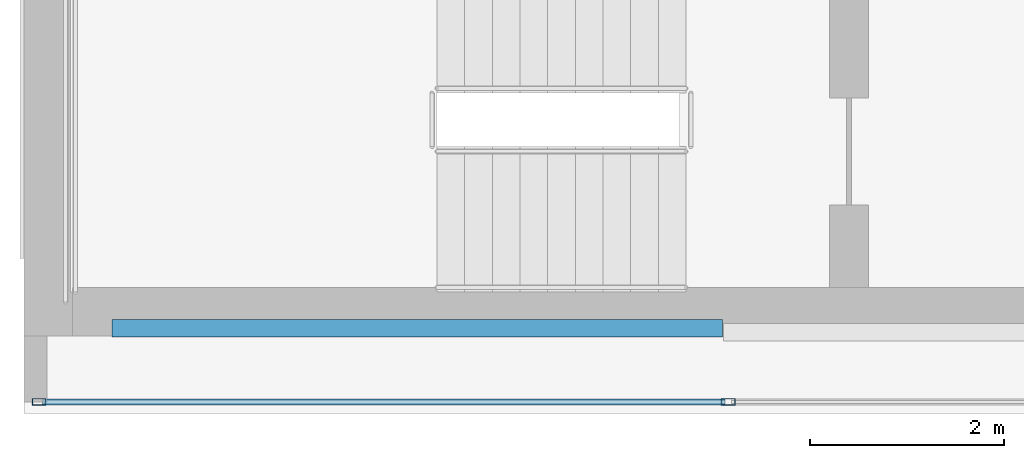
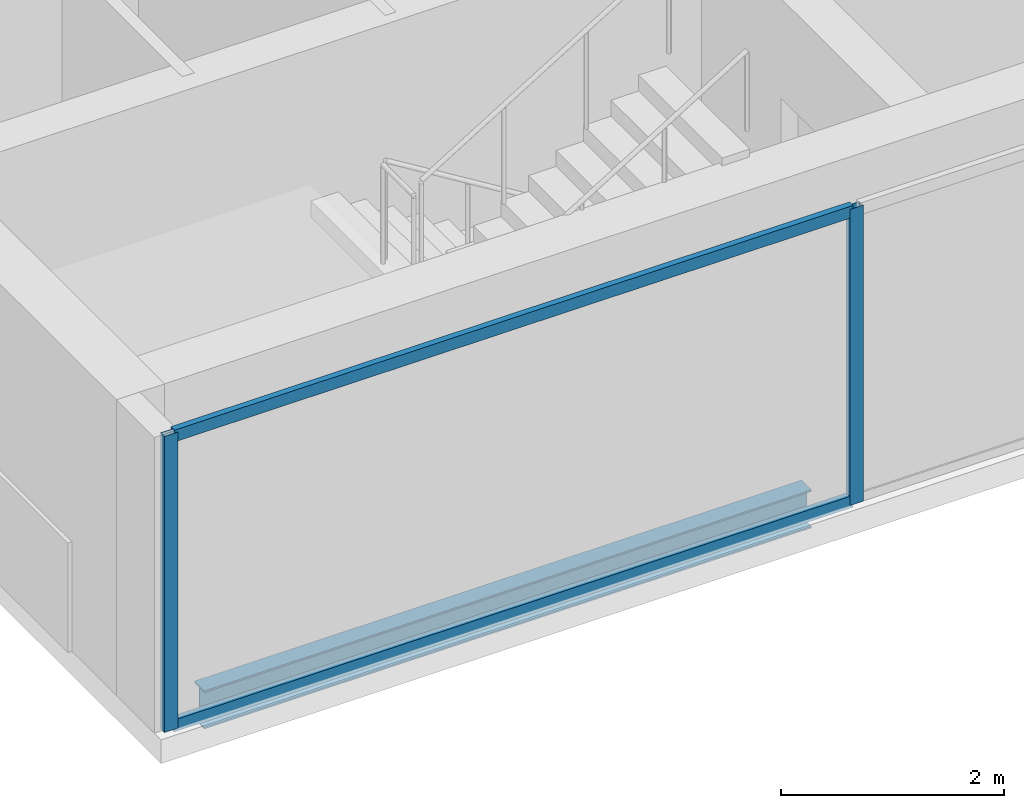
# One storey, part 2 of 23: 4 members, 1 beam, 1 element without a shape of its own.
"""IFC4 building model written with IfcOpenShell, lengths in metres."""

import ifcopenshell
import ifcopenshell.guid

model = None  # the IFC model being written
_history = None  # IfcOwnerHistory: only IFC2X3 demands one
_inside = {}  # id of a spatial element -> (the spatial element, [elements in it])
_under = {}  # id of a project, library or spatial element -> (it, [spatial elements below it])
_declared = {}  # id of a project -> (the project, [libraries it declares])
_typed = {}  # id of a type object -> (the type object, [elements of that type])
_made_of = {}  # id of a material, layer set ... -> (it, [elements and type objects made of it])


def new_model(schema):
    """Start an empty IFC model of exactly this schema.

    Asked for "IFC4X3", IfcOpenShell would pick the latest addendum, in which some entities
    have other attributes; the version numbers below select the first issue.
    IFC2X3 requires an IfcOwnerHistory on every rooted entity: one is made here for all.
    """
    global model, _history
    if schema == "IFC4X3":
        model = ifcopenshell.file(schema_version=(4, 3, 0, 0))
    else:
        model = ifcopenshell.file(schema=schema)
    _inside.clear()
    _under.clear()
    _declared.clear()
    _typed.clear()
    _made_of.clear()
    _history = None
    if model.schema == "IFC2X3":
        org = make("IfcOrganization", Name="unknown")
        user = make(
            "IfcPersonAndOrganization",
            ThePerson=make("IfcPerson", FamilyName="unknown"),
            TheOrganization=org,
        )
        app = make(
            "IfcApplication",
            ApplicationDeveloper=org,
            Version="unknown",
            ApplicationFullName="unknown",
            ApplicationIdentifier="unknown",
        )
        _history = make(
            "IfcOwnerHistory",
            OwningUser=user,
            OwningApplication=app,
            ChangeAction="ADDED",
            CreationDate=0,
        )
    return model


def make(cls, **values):
    """One entity of the class cls with the attributes given. An attribute that is None is left unset."""
    return model.create_entity(
        cls, **{name: value for name, value in values.items() if value is not None}
    )


def rooted(cls, **values):
    """An entity with a GlobalId (a new one), such as an element, a storey or a relation."""
    return make(cls, GlobalId=ifcopenshell.guid.new(), OwnerHistory=_history, **values)


def si_unit(unit_type, name, prefix=None):
    """IfcSIUnit, for example si_unit("LENGTHUNIT", "METRE", prefix="MILLI")."""
    return make("IfcSIUnit", UnitType=unit_type, Prefix=prefix, Name=name)


def assignment(units):
    """IfcUnitAssignment: the units of a project."""
    return None if units is None else make("IfcUnitAssignment", Units=units)


def point(xyz):
    """IfcCartesianPoint."""
    return None if xyz is None else make("IfcCartesianPoint", Coordinates=xyz)


def direction(xyz):
    """IfcDirection."""
    return None if xyz is None else make("IfcDirection", DirectionRatios=xyz)


def frame(location, z_axis=None, x_axis=None):
    """IfcAxis2Placement3D, a coordinate frame: its origin and axes. An axis left out is left unset."""
    return make(
        "IfcAxis2Placement3D",
        Location=point(location),
        Axis=direction(z_axis),
        RefDirection=direction(x_axis),
    )


def frame_2d(location, x_axis=None):
    """IfcAxis2Placement2D, a coordinate frame in the plane: its origin and x axis."""
    return make(
        "IfcAxis2Placement2D", Location=point(location), RefDirection=direction(x_axis)
    )


def origin():
    """The frame at (0, 0, 0) with its axes left unset."""
    return frame((0.0, 0.0, 0.0))


def origin_2d():
    """The frame at (0, 0) in the plane with its x axis left unset."""
    return frame_2d((0.0, 0.0))


def place(relative_to, where):
    """IfcLocalPlacement: puts the frame where relative to a parent placement (None: the world)."""
    return make(
        "IfcLocalPlacement", PlacementRelTo=relative_to, RelativePlacement=where
    )


def context(
    kind, dimensions, precision=None, world=None, true_north=None, identifier=None
):
    """IfcGeometricRepresentationContext, for example the 3D "Model" context."""
    return make(
        "IfcGeometricRepresentationContext",
        ContextIdentifier=identifier,
        ContextType=kind,
        CoordinateSpaceDimension=dimensions,
        Precision=precision,
        WorldCoordinateSystem=world,
        TrueNorth=true_north,
    )


def subcontext(parent, identifier, kind, view, scale=None):
    """IfcGeometricRepresentationSubContext, for example "Body" below "Model"."""
    return make(
        "IfcGeometricRepresentationSubContext",
        ContextIdentifier=identifier,
        ContextType=kind,
        ParentContext=parent,
        TargetScale=scale,
        TargetView=view,
    )


def project(units=None, contexts=None):
    """IfcProject with its units and contexts."""
    return rooted(
        "IfcProject",
        Name="project",
        RepresentationContexts=contexts,
        UnitsInContext=assignment(units),
    )


def spatial(cls, under=None, at=None, **own):
    """A site, building, storey or space (cls), placed at a placement, below another one or the project."""
    s = rooted(cls, ObjectPlacement=at, **own)
    if under is not None:
        _under.setdefault(under.id(), (under, []))[1].append(s)
    return s


def profile(cls, at=None, kind="AREA", **sizes):
    """A parametric profile (cls). Its sizes go by their IFC names, for example OverallWidth=200.0."""
    return make(cls, ProfileType=kind, Position=at, **sizes)


def hollow_rectangle(**sizes):
    """IfcRectangleHollowProfileDef."""
    return profile("IfcRectangleHollowProfileDef", **sizes)


def i_section(**sizes):
    """IfcIShapeProfileDef."""
    return profile("IfcIShapeProfileDef", **sizes)


def extrude(swept, where, along, depth):
    """IfcExtrudedAreaSolid: the profile swept, set in the frame where, extruded along a direction by depth."""
    return make(
        "IfcExtrudedAreaSolid",
        SweptArea=swept,
        Position=where,
        ExtrudedDirection=direction(along),
        Depth=depth,
    )


def shape(context_of_items, identifier, shape_type, items):
    """IfcShapeRepresentation: the items that make up one representation, for example the "Body"."""
    return make(
        "IfcShapeRepresentation",
        ContextOfItems=context_of_items,
        RepresentationIdentifier=identifier,
        RepresentationType=shape_type,
        Items=items,
    )


def material(Name=None, Category=None):
    """IfcMaterial."""
    return make("IfcMaterial", Name=Name, Category=Category)


def material_profile(
    of_material, cross_section, Name=None, Category=None, Priority=None
):
    """IfcMaterialProfile: a cross section and its material."""
    return make(
        "IfcMaterialProfile",
        Name=Name,
        Material=of_material,
        Profile=cross_section,
        Priority=Priority,
        Category=Category,
    )


def profile_set(profiles, Name=None, composite=None):
    """IfcMaterialProfileSet."""
    return make(
        "IfcMaterialProfileSet",
        Name=Name,
        MaterialProfiles=profiles,
        CompositeProfile=composite,
    )


def made_of(thing, what):
    """Note that an element or type object is made of a material, layer set ...; save() writes the relation."""
    if what is not None:
        _made_of.setdefault(what.id(), (what, []))[1].append(thing)
    return thing


def type_object(cls, material=None, **own):
    """A type object (cls), such as IfcWallType, which elements share."""
    return made_of(rooted(cls, **own), material)


def element(
    cls,
    number,
    at=None,
    inside=None,
    cuts=None,
    type_object=None,
    material=None,
    context=None,
    identifier="Body",
    shape_type=None,
    held_by="IfcProductDefinitionShape",
    body=None,
    shapes=None,
    **own,
):
    """One element of the class cls, such as IfcWall. Its Tag is "e" and its number.

    at: its placement. inside: the storey or other place that contains it. cuts: it is an
    opening in that element (IfcRelVoidsElement). A single representation is given by context,
    identifier, shape_type and body (its items); several are given by shapes. held_by: the class
    of the entity that holds the representations. save() writes the other relations.
    """
    e = rooted(cls, Tag="e%d" % number, ObjectPlacement=at, **own)
    if body is not None:
        shapes = [shape(context, identifier, shape_type, body)]
    if shapes is not None:
        e.Representation = make(held_by, Representations=shapes)
    if inside is not None:
        _inside.setdefault(inside.id(), (inside, []))[1].append(e)
    if cuts is not None:
        rooted(
            "IfcRelVoidsElement", RelatingBuildingElement=cuts, RelatedOpeningElement=e
        )
    if type_object is not None:
        _typed.setdefault(type_object.id(), (type_object, []))[1].append(e)
    return made_of(e, material)


def aggregate(whole, parts):
    """IfcRelAggregates: a whole, such as a stair, and the parts it consists of."""
    return rooted("IfcRelAggregates", RelatingObject=whole, RelatedObjects=parts)


def save(model, path):
    """Write the relations noted so far, then the file.

    IfcRelAggregates (storeys below a building ...), IfcRelContainedInSpatialStructure (elements
    in a storey), IfcRelDefinesByType, IfcRelAssociatesMaterial and IfcRelDeclares: one each for
    every whole, place, type object, material and project.
    """
    for whole, parts in _under.values():
        aggregate(whole, parts)
    for where, things in _inside.values():
        rooted(
            "IfcRelContainedInSpatialStructure",
            RelatedElements=things,
            RelatingStructure=where,
        )
    for kind, things in _typed.values():
        rooted("IfcRelDefinesByType", RelatedObjects=things, RelatingType=kind)
    for what, things in _made_of.values():
        rooted("IfcRelAssociatesMaterial", RelatedObjects=things, RelatingMaterial=what)
    for by, libraries in _declared.values():
        rooted("IfcRelDeclares", RelatingContext=by, RelatedDefinitions=libraries)
    model.write(path)


model = new_model("IFC4")

# Units and contexts
model_context = context("Model", 3, precision=1e-05, world=origin(), true_north=direction((0.0, 1.0)))
body_context = subcontext(model_context, "Body", "Model", "MODEL_VIEW")
ifc_project = project(units=[si_unit("LENGTHUNIT", "METRE"), si_unit("AREAUNIT", "SQUARE_METRE"), si_unit("VOLUMEUNIT", "CUBIC_METRE"), si_unit("PLANEANGLEUNIT", "RADIAN"), si_unit("MASSUNIT", "GRAM", prefix="KILO")], contexts=[model_context])

# Site, building, storey
site_placement = place(None, origin())
site = spatial("IfcSite", under=ifc_project, at=site_placement, CompositionType="ELEMENT")
building_placement = place(site_placement, origin())
building = spatial("IfcBuilding", under=site, at=building_placement, Name="Cobrela Telecom Tower", CompositionType="ELEMENT")
storey_placement = place(building_placement, frame((0.0, 0.0, 251.64990234375)))
storey = spatial("IfcBuildingStorey", under=building, at=storey_placement, Name="L65", CompositionType="ELEMENT", Elevation=251.64990234375)

# Beam
ifc_material_1 = material(Name="Steel ASTM A992 Grade 50", Category="steel")
ifc_material_profile_1 = material_profile(ifc_material_1, i_section(OverallWidth=0.179931640625, OverallDepth=0.4169921875, WebThickness=0.010986328125, FlangeThickness=0.01806640625, FilletRadius=0.011962890625, at=origin_2d()), Name="W16X57")
ifc_profile_set_1 = profile_set([ifc_material_profile_1], Name="Steel ASTM A992 Grade 50")
beam_type = type_object("IfcBeamType", Name="BM-SPAND-06", PredefinedType="SPANDREL", material=ifc_profile_set_1)
beam_placement = place(storey_placement, frame((0.905029296875, 7.280029296875, -0.468505859375), z_axis=(1.0, 0.0, 0.0), x_axis=(0.0, 1.0, 0.0)))
element("IfcBeam", 1, at=beam_placement, inside=storey, type_object=beam_type, Name="L65 Perimeter Spandrel X01", PredefinedType="SPANDREL", context=body_context, shape_type="SweptSolid", body=[
    extrude(i_section(OverallWidth=0.179931640625, OverallDepth=0.4169921875, WebThickness=0.010986328125, FlangeThickness=0.01806640625, FilletRadius=0.011962890625, at=origin_2d()), origin(), (0.0, 0.0, 1.0), 6.2900390625),
])

# Curtain wall, members
ifc_material_2 = material(Name="Anodized Bronze Aluminium 6063-T6", Category="aluminium")
curtain_wall_type = type_object("IfcCurtainWallType", Name="CW-SYS-OFF-HI", PredefinedType="USERDEFINED", material=ifc_material_2)
curtain_wall_placement = place(storey_placement, origin())
curtain_wall = element("IfcCurtainWall", 2, at=curtain_wall_placement, inside=storey, type_object=curtain_wall_type, Name="L65 Unitised Bronze Curtain Wall 15", ObjectType="UNITISED CURTAIN WALL", PredefinedType="USERDEFINED")
ifc_material_profile_2 = material_profile(ifc_material_2, hollow_rectangle(XDim=0.070068359375, YDim=0.139892578125, WallThickness=0.00390625, at=origin_2d()), Name="ALU 70x140x4")
ifc_profile_set_2 = profile_set([ifc_material_profile_2], Name="Anodized Bronze Aluminium 6063-T6")
member_type_1 = type_object("IfcMemberType", Name="CW-SYS-OFF-HI-MUL", PredefinedType="MULLION", material=ifc_profile_set_2)
member_1_placement = place(storey_placement, frame((7.2548828125, 6.52001953125, 0.0), z_axis=(0.0, 0.0, 1.0), x_axis=(0.0, -1.0, 0.0)))
member_1 = element("IfcMember", 3, at=member_1_placement, type_object=member_type_1, Name="CW-OFF-HI mullion 6", PredefinedType="MULLION", context=body_context, shape_type="SweptSolid", body=[
    extrude(hollow_rectangle(XDim=0.070068359375, YDim=0.139892578125, WallThickness=0.00390625, at=origin_2d()), origin(), (0.0, 0.0, 1.0), 3.239990234375),
])
member_2_placement = place(storey_placement, frame((0.155029296875, 6.52001953125, 0.0), z_axis=(0.0, 0.0, 1.0), x_axis=(0.0, -1.0, 0.0)))
member_2 = element("IfcMember", 4, at=member_2_placement, type_object=member_type_1, Name="CW-OFF-HI mullion 7", PredefinedType="MULLION", context=body_context, shape_type="SweptSolid", body=[
    extrude(hollow_rectangle(XDim=0.070068359375, YDim=0.139892578125, WallThickness=0.00390625, at=origin_2d()), origin(), (0.0, 0.0, 1.0), 3.239990234375),
])
ifc_material_profile_3 = material_profile(ifc_material_2, hollow_rectangle(XDim=0.06494140625, YDim=0.1298828125, WallThickness=0.00390625, at=origin_2d()), Name="ALU 65x130x4")
ifc_profile_set_3 = profile_set([ifc_material_profile_3], Name="Anodized Bronze Aluminium 6063-T6")
member_type_2 = type_object("IfcMemberType", Name="CW-SYS-OFF-HI-TRN", PredefinedType="USERDEFINED", material=ifc_profile_set_3)
member_3_placement = place(storey_placement, frame((7.219970703125, 6.52001953125, 0.03271484375), z_axis=(-1.0, 0.0, 0.0), x_axis=(0.0, -1.0, 0.0)))
member_3 = element("IfcMember", 5, at=member_3_placement, type_object=member_type_2, Name="CW-OFF-HI transom 6.1", ObjectType="TRANSOM", PredefinedType="USERDEFINED", context=body_context, shape_type="SweptSolid", body=[
    extrude(hollow_rectangle(XDim=0.06494140625, YDim=0.1298828125, WallThickness=0.00390625, at=origin_2d()), origin(), (0.0, 0.0, 1.0), 7.030029296875),
])
member_4_placement = place(storey_placement, frame((7.219970703125, 6.52001953125, 3.20751953125), z_axis=(-1.0, 0.0, 0.0), x_axis=(0.0, -1.0, 0.0)))
member_4 = element("IfcMember", 6, at=member_4_placement, type_object=member_type_2, Name="CW-OFF-HI transom 6.2", ObjectType="TRANSOM", PredefinedType="USERDEFINED", context=body_context, shape_type="SweptSolid", body=[
    extrude(hollow_rectangle(XDim=0.06494140625, YDim=0.1298828125, WallThickness=0.00390625, at=origin_2d()), origin(), (0.0, 0.0, 1.0), 7.030029296875),
])
aggregate(curtain_wall, [member_1, member_2, member_3, member_4])

save(model, "model.ifc")
